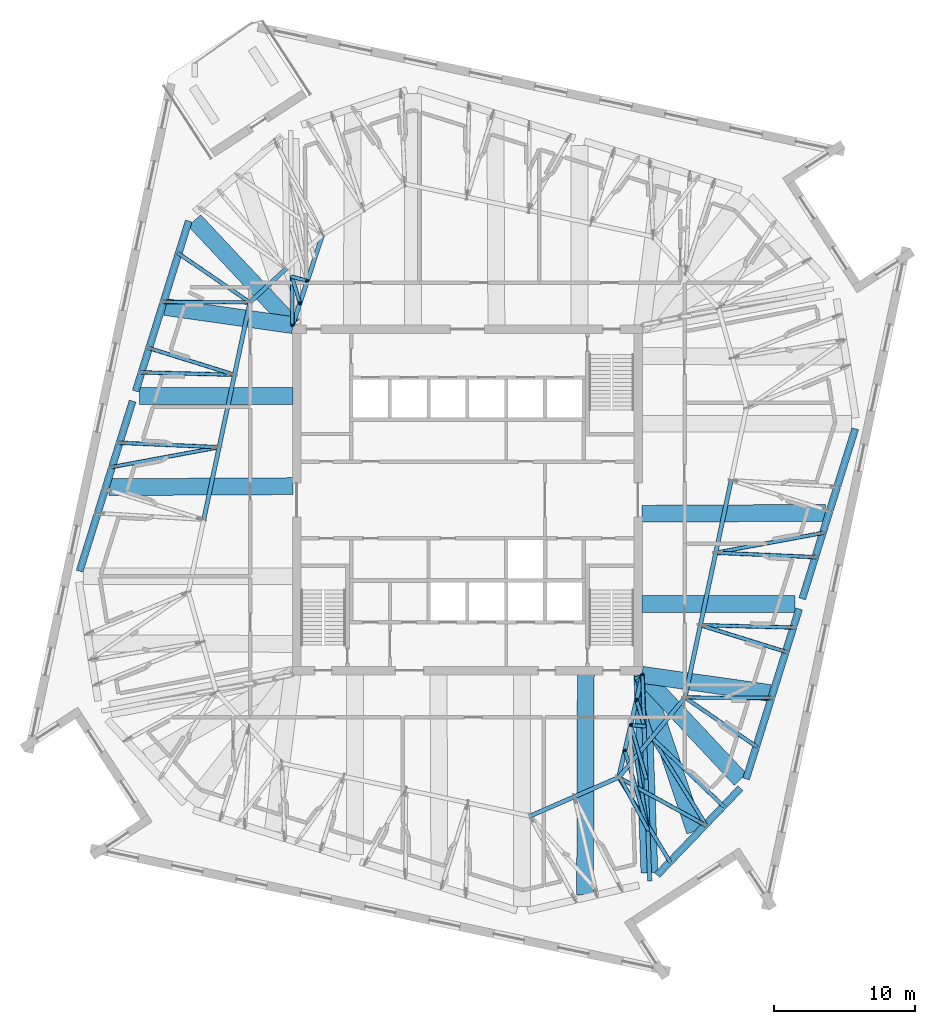
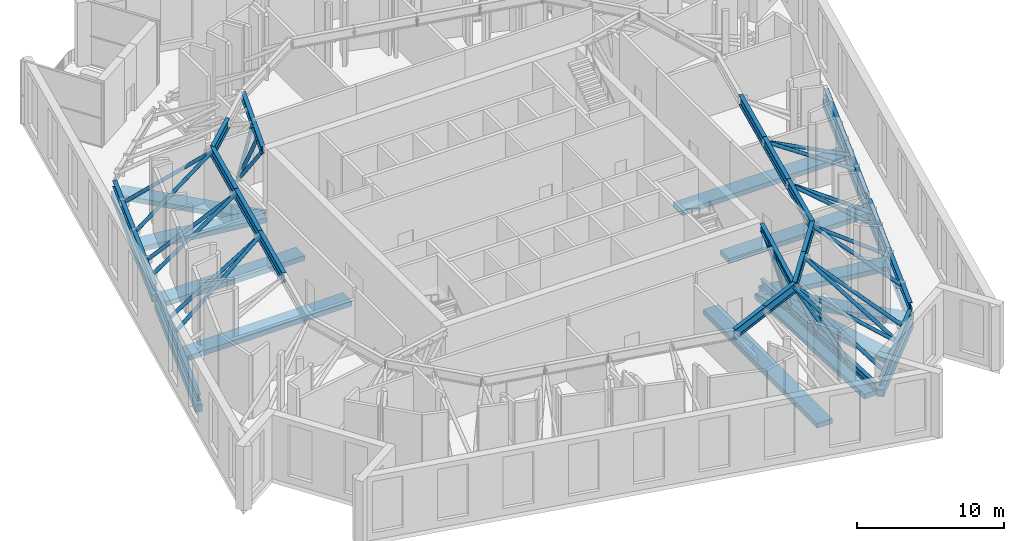
# One storey, part 2 of 19: 35 beams, 26 members.
"""IFC4 building model written with IfcOpenShell, lengths in metres."""

from ifc_helpers import new_model, si_unit, direction, frame, origin, origin_2d, place, context, subcontext, project, spatial, rectangle, hollow_circle, i_section, extrude, material, material_profile, profile_set, type_object, element, save


model = new_model("IFC4")

# Units and contexts
model_context = context("Model", 3, precision=1e-05, world=origin(), true_north=direction((0.0, 1.0)))
body_context = subcontext(model_context, "Body", "Model", "MODEL_VIEW")
ifc_project = project(units=[si_unit("LENGTHUNIT", "METRE"), si_unit("AREAUNIT", "SQUARE_METRE"), si_unit("VOLUMEUNIT", "CUBIC_METRE"), si_unit("PLANEANGLEUNIT", "RADIAN"), si_unit("MASSUNIT", "GRAM", prefix="KILO")], contexts=[model_context])

# Site, building, storey
site_placement = place(None, origin())
site = spatial("IfcSite", under=ifc_project, at=site_placement, CompositionType="ELEMENT")
building_placement = place(site_placement, origin())
building = spatial("IfcBuilding", under=site, at=building_placement, Name="Dilmun Exchange Tower", CompositionType="ELEMENT")
storey_placement = place(building_placement, frame((0.0, 0.0, 344.5)))
storey = spatial("IfcBuildingStorey", under=building, at=storey_placement, Name="L82", CompositionType="ELEMENT", Elevation=344.5)

# Beams
ifc_material_1 = material(Name="Concrete C40/50", Category="concrete")
ifc_material_profile_1 = material_profile(ifc_material_1, rectangle(XDim=1.199951171875, YDim=0.39990234375, at=origin_2d()), Name="1200 x 400")
ifc_profile_set_1 = profile_set([ifc_material_profile_1], Name="Concrete C40/50")
beam_type_1 = type_object("IfcBeamType", Name="RC band beam 1200 x 400 C40/50", PredefinedType="BEAM", material=ifc_profile_set_1)
beam_1_placement = place(storey_placement, frame((-19.35400390625, 19.8173828125, -0.64990234375), z_axis=(0.683952281649, -0.729526748261, 0.0), x_axis=(0.729526748261, 0.683952281649, 0.0)))
element("IfcBeam", 1, at=beam_1_placement, inside=storey, type_object=beam_type_1, Name="Band beam 2", PredefinedType="BEAM", context=body_context, shape_type="SweptSolid", body=[
    extrude(rectangle(XDim=1.199951171875, YDim=0.39990234375, at=origin_2d()), origin(), (0.0, 0.0, 1.0), 10.1943359375),
])
beam_2_placement = place(storey_placement, frame((-23.237060546875, 7.363037109375, -0.64990234375), z_axis=(1.0, 0.0, 0.0), x_axis=(0.0, 1.0, 0.0)))
element("IfcBeam", 2, at=beam_2_placement, inside=storey, type_object=beam_type_1, Name="Band beam 3", PredefinedType="BEAM", context=body_context, shape_type="SweptSolid", body=[
    extrude(rectangle(XDim=1.199951171875, YDim=0.39990234375, at=origin_2d()), origin(), (0.0, 0.0, 1.0), 10.864013671875),
])
beam_3_placement = place(storey_placement, frame((12.9033203125, -26.429443359375, -0.64990234375), z_axis=(-0.035860549827, 0.999356803632, 0.0), x_axis=(-0.999356803632, -0.035860549827, 0.0)))
element("IfcBeam", 3, at=beam_3_placement, inside=storey, type_object=beam_type_1, Name="Band beam 9", PredefinedType="BEAM", context=body_context, shape_type="SweptSolid", body=[
    extrude(rectangle(XDim=1.199951171875, YDim=0.39990234375, at=origin_2d()), origin(), (0.0, 0.0, 1.0), 14.0654296875),
])
beam_4_placement = place(storey_placement, frame((19.35400390625, -19.8173828125, -0.64990234375), z_axis=(-0.683952281649, 0.729526748261, 0.0), x_axis=(-0.729526748261, -0.683952281649, 0.0)))
element("IfcBeam", 4, at=beam_4_placement, inside=storey, type_object=beam_type_1, Name="Band beam 10", PredefinedType="BEAM", context=body_context, shape_type="SweptSolid", body=[
    extrude(rectangle(XDim=1.199951171875, YDim=0.39990234375, at=origin_2d()), origin(), (0.0, 0.0, 1.0), 10.1943359375),
])
beam_5_placement = place(storey_placement, frame((23.237060546875, -7.363037109375, -0.64990234375), z_axis=(-1.0, 0.0, 0.0), x_axis=(0.0, -1.0, 0.0)))
element("IfcBeam", 5, at=beam_5_placement, inside=storey, type_object=beam_type_1, Name="Band beam 11", PredefinedType="BEAM", context=body_context, shape_type="SweptSolid", body=[
    extrude(rectangle(XDim=1.199951171875, YDim=0.39990234375, at=origin_2d()), origin(), (0.0, 0.0, 1.0), 10.864013671875),
])
beam_6_placement = place(storey_placement, frame((-21.426513671875, 13.681640625, -0.550048828125), z_axis=(0.990066629404, -0.140598966357, 0.0), x_axis=(0.140598966357, 0.990066629404, 0.0)))
element("IfcBeam", 6, at=beam_6_placement, inside=storey, type_object=beam_type_1, Name="Band beam 18", PredefinedType="BEAM", context=body_context, shape_type="SweptSolid", body=[
    extrude(rectangle(XDim=1.199951171875, YDim=0.39990234375, at=origin_2d()), origin(), (0.0, 0.0, 1.0), 9.14404296875),
])
beam_7_placement = place(storey_placement, frame((-25.405517578125, 0.912109375, -0.550048828125), z_axis=(0.999987018468, 0.005095379798, 0.0), x_axis=(-0.005095379798, 0.999987018468, 0.0)))
element("IfcBeam", 7, at=beam_7_placement, inside=storey, type_object=beam_type_1, Name="Band beam 19", PredefinedType="BEAM", context=body_context, shape_type="SweptSolid", body=[
    extrude(rectangle(XDim=1.199951171875, YDim=0.39990234375, at=origin_2d()), origin(), (0.0, 0.0, 1.0), 13.03271484375),
])
beam_8_placement = place(storey_placement, frame((8.3427734375, -27.964599609375, -0.550048828125), z_axis=(0.003194321582, 0.999994898142, 0.0), x_axis=(-0.999994898142, 0.003194321582, 0.0)))
element("IfcBeam", 8, at=beam_8_placement, inside=storey, type_object=beam_type_1, Name="Band beam 24", PredefinedType="BEAM", context=body_context, shape_type="SweptSolid", body=[
    extrude(rectangle(XDim=1.199951171875, YDim=0.39990234375, at=origin_2d()), origin(), (0.0, 0.0, 1.0), 15.591552734375),
])
beam_9_placement = place(storey_placement, frame((16.12841796875, -23.484130859375, -0.550048828125), z_axis=(-0.318844720982, 0.947806965527, 0.0), x_axis=(-0.947806965527, -0.318844720982, 0.0)))
element("IfcBeam", 9, at=beam_9_placement, inside=storey, type_object=beam_type_1, Name="Band beam 25", PredefinedType="BEAM", context=body_context, shape_type="SweptSolid", body=[
    extrude(rectangle(XDim=1.199951171875, YDim=0.39990234375, at=origin_2d()), origin(), (0.0, 0.0, 1.0), 11.721435546875),
])
beam_10_placement = place(storey_placement, frame((21.426513671875, -13.681640625, -0.550048828125), z_axis=(-0.990066629404, 0.140598966357, 0.0), x_axis=(-0.140598966357, -0.990066629404, 0.0)))
element("IfcBeam", 10, at=beam_10_placement, inside=storey, type_object=beam_type_1, Name="Band beam 26", PredefinedType="BEAM", context=body_context, shape_type="SweptSolid", body=[
    extrude(rectangle(XDim=1.199951171875, YDim=0.39990234375, at=origin_2d()), origin(), (0.0, 0.0, 1.0), 9.14404296875),
])
beam_11_placement = place(storey_placement, frame((25.405517578125, -0.912109375, -0.550048828125), z_axis=(-0.999987018468, -0.005095379798, 0.0), x_axis=(0.005095379798, -0.999987018468, 0.0)))
element("IfcBeam", 11, at=beam_11_placement, inside=storey, type_object=beam_type_1, Name="Band beam 27", PredefinedType="BEAM", context=body_context, shape_type="SweptSolid", body=[
    extrude(rectangle(XDim=1.199951171875, YDim=0.39990234375, at=origin_2d()), origin(), (0.0, 0.0, 1.0), 13.03271484375),
])
ifc_material_profile_2 = material_profile(ifc_material_1, rectangle(XDim=0.5, YDim=0.60009765625, at=origin_2d()), Name="500 x 600")
ifc_profile_set_2 = profile_set([ifc_material_profile_2], Name="Concrete C40/50")
beam_type_2 = type_object("IfcBeamType", Name="RC ring beam 500 x 600 C40/50", PredefinedType="SPANDREL", material=ifc_profile_set_2)
beam_12_placement = place(storey_placement, frame((-19.760986328125, 19.77685546875, -0.64990234375), z_axis=(-0.297481296371, -0.954727646143, 0.0), x_axis=(0.954727646143, -0.297481296371, 0.0)))
element("IfcBeam", 12, at=beam_12_placement, inside=storey, type_object=beam_type_2, Name="Ring beam 2", PredefinedType="SPANDREL", context=body_context, shape_type="SweptSolid", body=[
    extrude(rectangle(XDim=0.5, YDim=0.60009765625, at=origin_2d()), origin(), (0.0, 0.0, 1.0), 12.629638671875),
])
beam_13_placement = place(storey_placement, frame((-23.739990234375, 7.0068359375, -0.64990234375), z_axis=(-0.297508749799, -0.954719091562, 0.0), x_axis=(0.954719091562, -0.297508749799, 0.0)))
element("IfcBeam", 13, at=beam_13_placement, inside=storey, type_object=beam_type_2, Name="Ring beam 3", PredefinedType="SPANDREL", context=body_context, shape_type="SweptSolid", body=[
    extrude(rectangle(XDim=0.5, YDim=0.60009765625, at=origin_2d()), origin(), (0.0, 0.0, 1.0), 12.62841796875),
])
beam_14_placement = place(storey_placement, frame((13.451416015625, -26.598876953125, -0.64990234375), z_axis=(0.692021502551, 0.721876887016, 0.0), x_axis=(-0.721876887016, 0.692021502551, 0.0)))
element("IfcBeam", 14, at=beam_14_placement, inside=storey, type_object=beam_type_2, Name="Ring beam 9", PredefinedType="SPANDREL", context=body_context, shape_type="SweptSolid", body=[
    extrude(rectangle(XDim=0.5, YDim=0.60009765625, at=origin_2d()), origin(), (0.0, 0.0, 1.0), 8.537353515625),
])
beam_15_placement = place(storey_placement, frame((19.760986328125, -19.77685546875, -0.64990234375), z_axis=(0.297481296371, 0.954727646143, 0.0), x_axis=(-0.954727646143, 0.297481296371, 0.0)))
element("IfcBeam", 15, at=beam_15_placement, inside=storey, type_object=beam_type_2, Name="Ring beam 10", PredefinedType="SPANDREL", context=body_context, shape_type="SweptSolid", body=[
    extrude(rectangle(XDim=0.5, YDim=0.60009765625, at=origin_2d()), origin(), (0.0, 0.0, 1.0), 12.629638671875),
])
beam_16_placement = place(storey_placement, frame((23.739990234375, -7.0068359375, -0.64990234375), z_axis=(0.297508749799, 0.954719091562, 0.0), x_axis=(-0.954719091562, 0.297508749799, 0.0)))
element("IfcBeam", 16, at=beam_16_placement, inside=storey, type_object=beam_type_2, Name="Ring beam 11", PredefinedType="SPANDREL", context=body_context, shape_type="SweptSolid", body=[
    extrude(rectangle(XDim=0.5, YDim=0.60009765625, at=origin_2d()), origin(), (0.0, 0.0, 1.0), 12.62841796875),
])
ifc_material_2 = material(Name="Steel S355", Category="steel")
ifc_material_profile_3 = material_profile(ifc_material_2, i_section(OverallWidth=0.300048828125, OverallDepth=0.5, WebThickness=0.014404296875, FlangeThickness=0.028076171875, FilletRadius=0.027099609375, at=origin_2d()), Name="HEB 500")
ifc_profile_set_3 = profile_set([ifc_material_profile_3], Name="Steel S355")
beam_type_3 = type_object("IfcBeamType", Name="belt bottom chord HEB 500", PredefinedType="BEAM", material=ifc_profile_set_3)
beam_17_placement = place(storey_placement, frame((-19.760986328125, 19.77685546875, 0.25), z_axis=(-0.297481296371, -0.954727646143, 0.0), x_axis=(0.954727646143, -0.297481296371, 0.0)))
element("IfcBeam", 17, at=beam_17_placement, inside=storey, type_object=beam_type_3, Name="Belt bottom chord 2", PredefinedType="BEAM", context=body_context, shape_type="SweptSolid", body=[
    extrude(i_section(OverallWidth=0.300048828125, OverallDepth=0.5, WebThickness=0.014404296875, FlangeThickness=0.028076171875, FilletRadius=0.027099609375, at=origin_2d()), origin(), (0.0, 0.0, 1.0), 12.629638671875),
])
beam_18_placement = place(storey_placement, frame((-23.739990234375, 7.0068359375, 0.25), z_axis=(-0.297508749799, -0.954719091562, 0.0), x_axis=(0.954719091562, -0.297508749799, 0.0)))
element("IfcBeam", 18, at=beam_18_placement, inside=storey, type_object=beam_type_3, Name="Belt bottom chord 3", PredefinedType="BEAM", context=body_context, shape_type="SweptSolid", body=[
    extrude(i_section(OverallWidth=0.300048828125, OverallDepth=0.5, WebThickness=0.014404296875, FlangeThickness=0.028076171875, FilletRadius=0.027099609375, at=origin_2d()), origin(), (0.0, 0.0, 1.0), 12.62841796875),
])
beam_19_placement = place(storey_placement, frame((13.451416015625, -26.598876953125, 0.25), z_axis=(0.692021502551, 0.721876887016, 0.0), x_axis=(-0.721876887016, 0.692021502551, 0.0)))
element("IfcBeam", 19, at=beam_19_placement, inside=storey, type_object=beam_type_3, Name="Belt bottom chord 9", PredefinedType="BEAM", context=body_context, shape_type="SweptSolid", body=[
    extrude(i_section(OverallWidth=0.300048828125, OverallDepth=0.5, WebThickness=0.014404296875, FlangeThickness=0.028076171875, FilletRadius=0.027099609375, at=origin_2d()), origin(), (0.0, 0.0, 1.0), 8.537353515625),
])
beam_20_placement = place(storey_placement, frame((19.760986328125, -19.77685546875, 0.25), z_axis=(0.297481296371, 0.954727646143, 0.0), x_axis=(-0.954727646143, 0.297481296371, 0.0)))
element("IfcBeam", 20, at=beam_20_placement, inside=storey, type_object=beam_type_3, Name="Belt bottom chord 10", PredefinedType="BEAM", context=body_context, shape_type="SweptSolid", body=[
    extrude(i_section(OverallWidth=0.300048828125, OverallDepth=0.5, WebThickness=0.014404296875, FlangeThickness=0.028076171875, FilletRadius=0.027099609375, at=origin_2d()), origin(), (0.0, 0.0, 1.0), 12.629638671875),
])
beam_21_placement = place(storey_placement, frame((23.739990234375, -7.0068359375, 0.25), z_axis=(0.297508749799, 0.954719091562, 0.0), x_axis=(-0.954719091562, 0.297508749799, 0.0)))
element("IfcBeam", 21, at=beam_21_placement, inside=storey, type_object=beam_type_3, Name="Belt bottom chord 11", PredefinedType="BEAM", context=body_context, shape_type="SweptSolid", body=[
    extrude(i_section(OverallWidth=0.300048828125, OverallDepth=0.5, WebThickness=0.014404296875, FlangeThickness=0.028076171875, FilletRadius=0.027099609375, at=origin_2d()), origin(), (0.0, 0.0, 1.0), 12.62841796875),
])
ifc_material_profile_4 = material_profile(ifc_material_2, i_section(OverallWidth=0.304931640625, OverallDepth=0.6201171875, WebThickness=0.02099609375, FlangeThickness=0.0400390625, FilletRadius=0.027099609375, at=origin_2d()), Name="HEM 600")
ifc_profile_set_4 = profile_set([ifc_material_profile_4], Name="Steel S355")
beam_type_4 = type_object("IfcBeamType", Name="outrigger chord HEM 600", PredefinedType="BEAM", material=ifc_profile_set_4)
beam_22_placement = place(storey_placement, frame((-12.408447265625, 12.37451171875, 4.889892578125), z_axis=(0.316095980044, 0.948727216538, 0.0), x_axis=(-0.948727216538, 0.316095980044, 0.0)))
element("IfcBeam", 22, at=beam_22_placement, inside=storey, type_object=beam_type_4, Name="Outrigger top chord 1", PredefinedType="BEAM", context=body_context, shape_type="SweptSolid", body=[
    extrude(i_section(OverallWidth=0.304931640625, OverallDepth=0.6201171875, WebThickness=0.02099609375, FlangeThickness=0.0400390625, FilletRadius=0.027099609375, at=origin_2d()), origin(), (0.0, 0.0, 1.0), 6.66943359375),
])
beam_23_placement = place(storey_placement, frame((12.39892578125, -12.373046875, 0.31005859375), z_axis=(0.035861447529, -0.999356771419, 0.0), x_axis=(0.999356771419, 0.035861447529, 0.0)))
element("IfcBeam", 23, at=beam_23_placement, inside=storey, type_object=beam_type_4, Name="Outrigger bottom chord 3", PredefinedType="BEAM", context=body_context, shape_type="SweptSolid", body=[
    extrude(i_section(OverallWidth=0.304931640625, OverallDepth=0.6201171875, WebThickness=0.02099609375, FlangeThickness=0.0400390625, FilletRadius=0.027099609375, at=origin_2d()), origin(), (0.0, 0.0, 1.0), 14.657470703125),
])
beam_24_placement = place(storey_placement, frame((12.406005859375, -12.373779296875, 4.889892578125), z_axis=(-0.224518032074, -0.974469934515, 0.0), x_axis=(0.974469934515, -0.224518032074, 0.0)))
element("IfcBeam", 24, at=beam_24_placement, inside=storey, type_object=beam_type_4, Name="Outrigger top chord 3", PredefinedType="BEAM", context=body_context, shape_type="SweptSolid", body=[
    extrude(i_section(OverallWidth=0.304931640625, OverallDepth=0.6201171875, WebThickness=0.02099609375, FlangeThickness=0.0400390625, FilletRadius=0.027099609375, at=origin_2d()), origin(), (0.0, 0.0, 1.0), 7.36279296875),
])

# Members
ifc_material_profile_5 = material_profile(ifc_material_2, hollow_circle(Radius=0.136474609375, WallThickness=0.01611328125, at=origin_2d()), Name="CHS 273x16")
ifc_profile_set_5 = profile_set([ifc_material_profile_5], Name="Steel S355")
member_type_1 = type_object("IfcMemberType", Name="outrigger post CHS 273x16", PredefinedType="POST", material=ifc_profile_set_5)
member_1_placement = place(storey_placement, frame((-11.881591796875, 13.956298828125, 4.889892578125), z_axis=(-0.110869686973, 0.376250821824, -0.919860441365), x_axis=(-0.959222051203, -0.282653598041, 0.0)))
element("IfcMember", 25, at=member_1_placement, inside=storey, type_object=member_type_1, Name="Outrigger post 1.1", PredefinedType="POST", context=body_context, shape_type="SweptSolid", body=[
    extrude(hollow_circle(Radius=0.136474609375, WallThickness=0.01611328125, at=origin_2d()), origin(), (0.0, 0.0, 1.0), 4.978759765625),
])
member_2_placement = place(storey_placement, frame((11.992919921875, -14.16748046875, 4.889892578125), z_axis=(0.108058593777, -0.375358848228, -0.920559110198), x_axis=(0.96097207739, 0.276645380365, 0.0)))
element("IfcMember", 26, at=member_2_placement, inside=storey, type_object=member_type_1, Name="Outrigger post 3.1", PredefinedType="POST", context=body_context, shape_type="SweptSolid", body=[
    extrude(hollow_circle(Radius=0.136474609375, WallThickness=0.01611328125, at=origin_2d()), origin(), (0.0, 0.0, 1.0), 4.97509765625),
])
member_3_placement = place(storey_placement, frame((11.57958984375, -15.961181640625, 4.889892578125), z_axis=(0.180122493312, -0.621753754267, -0.762219231231), x_axis=(0.960506005653, 0.278259255199, 0.0)))
element("IfcMember", 27, at=member_3_placement, inside=storey, type_object=member_type_1, Name="Outrigger post 3.2", PredefinedType="POST", context=body_context, shape_type="SweptSolid", body=[
    extrude(hollow_circle(Radius=0.136474609375, WallThickness=0.01611328125, at=origin_2d()), origin(), (0.0, 0.0, 1.0), 6.008544921875),
])
member_4_placement = place(storey_placement, frame((11.166259765625, -17.7548828125, 4.889892578125), z_axis=(0.219319600722, -0.755474404948, -0.617379410256), x_axis=(0.960350201497, 0.278796503715, 0.0)))
element("IfcMember", 28, at=member_4_placement, inside=storey, type_object=member_type_1, Name="Outrigger post 3.3", PredefinedType="POST", context=body_context, shape_type="SweptSolid", body=[
    extrude(hollow_circle(Radius=0.136474609375, WallThickness=0.01611328125, at=origin_2d()), origin(), (0.0, 0.0, 1.0), 7.418212890625),
])

# Beams
ifc_material_profile_6 = material_profile(ifc_material_2, i_section(OverallWidth=0.302978515625, OverallDepth=0.81396484375, WebThickness=0.02099609375, FlangeThickness=0.0400390625, FilletRadius=0.030029296875, at=origin_2d()), Name="HEM 800")
ifc_profile_set_6 = profile_set([ifc_material_profile_6], Name="Steel S355")
beam_type_5 = type_object("IfcBeamType", Name="transfer chord HEM 800", PredefinedType="BEAM", material=ifc_profile_set_6)
beam_25_placement = place(storey_placement, frame((-12.842529296875, 16.41650390625, 4.89306640625), z_axis=(-0.731885642054, -0.6814274774, 0.0), x_axis=(0.6814274774, -0.731885642054, 0.0)))
element("IfcBeam", 29, at=beam_25_placement, inside=storey, type_object=beam_type_5, Name="Transfer chord 2", PredefinedType="BEAM", context=body_context, shape_type="SweptSolid", body=[
    extrude(i_section(OverallWidth=0.302978515625, OverallDepth=0.81396484375, WebThickness=0.02099609375, FlangeThickness=0.0400390625, FilletRadius=0.030029296875, at=origin_2d()), origin(), (0.0, 0.0, 1.0), 3.52734375),
])
for number, where, z_axis, x_axis, name in (
    (30, (-15.424072265625, 14.012939453125, 4.89306640625), (-0.207861536591, -0.97815826, 0.0), (0.97815826, -0.207861536591, 0.0), "Transfer chord 3"),
    (31, (-16.515380859375, 8.87744140625, 4.89306640625), (-0.207906028247, -0.978148804333, 0.0), (0.978148804333, -0.207906028247, 0.0), "Transfer chord 4"),
):
    element("IfcBeam", number, at=place(storey_placement, frame(where, z_axis=z_axis, x_axis=x_axis)), inside=storey, type_object=beam_type_5, Name=name, PredefinedType="BEAM", context=body_context, shape_type="SweptSolid", body=[
        extrude(i_section(OverallWidth=0.302978515625, OverallDepth=0.81396484375, WebThickness=0.02099609375, FlangeThickness=0.0400390625, FilletRadius=0.030029296875, at=origin_2d()), origin(), (0.0, 0.0, 1.0), 5.250244140625),
    ])
beam_26_placement = place(storey_placement, frame((-17.60693359375, 3.741943359375, 4.89306640625), z_axis=(-0.207924943103, -0.97814478378, 0.0), x_axis=(0.97814478378, -0.207924943103, 0.0)))
element("IfcBeam", 32, at=beam_26_placement, inside=storey, type_object=beam_type_5, Name="Transfer chord 5", PredefinedType="BEAM", context=body_context, shape_type="SweptSolid", body=[
    extrude(i_section(OverallWidth=0.302978515625, OverallDepth=0.81396484375, WebThickness=0.02099609375, FlangeThickness=0.0400390625, FilletRadius=0.030029296875, at=origin_2d()), origin(), (0.0, 0.0, 1.0), 5.249755859375),
])
for number, where, z_axis, x_axis, name in (
    (33, (4.43701171875, -22.412109375, 4.89306640625), (0.916630437156, 0.39973571479, 0.0), (-0.39973571479, 0.916630437156, 0.0), "Transfer chord 15"),
    (34, (7.5810546875, -21.041015625, 4.89306640625), (0.916630437156, 0.39973571479, 0.0), (-0.39973571479, 0.916630437156, 0.0), "Transfer chord 16"),
):
    element("IfcBeam", number, at=place(storey_placement, frame(where, z_axis=z_axis, x_axis=x_axis)), inside=storey, type_object=beam_type_5, Name=name, PredefinedType="BEAM", context=body_context, shape_type="SweptSolid", body=[
        extrude(i_section(OverallWidth=0.302978515625, OverallDepth=0.81396484375, WebThickness=0.02099609375, FlangeThickness=0.0400390625, FilletRadius=0.030029296875, at=origin_2d()), origin(), (0.0, 0.0, 1.0), 3.429931640625),
    ])
beam_27_placement = place(storey_placement, frame((10.72509765625, -19.669921875, 4.89306640625), z_axis=(0.638962275469, 0.769238071424, 0.0), x_axis=(-0.769238071424, 0.638962275469, 0.0)))
element("IfcBeam", 35, at=beam_27_placement, inside=storey, type_object=beam_type_5, Name="Transfer chord 17", PredefinedType="BEAM", context=body_context, shape_type="SweptSolid", body=[
    extrude(i_section(OverallWidth=0.302978515625, OverallDepth=0.81396484375, WebThickness=0.02099609375, FlangeThickness=0.0400390625, FilletRadius=0.030029296875, at=origin_2d()), origin(), (0.0, 0.0, 1.0), 3.6767578125),
])
beam_28_placement = place(storey_placement, frame((13.074462890625, -16.841552734375, 4.89306640625), z_axis=(0.638968928922, 0.769232544731, 0.0), x_axis=(-0.769232544731, 0.638968928922, 0.0)))
element("IfcBeam", 36, at=beam_28_placement, inside=storey, type_object=beam_type_5, Name="Transfer chord 18", PredefinedType="BEAM", context=body_context, shape_type="SweptSolid", body=[
    extrude(i_section(OverallWidth=0.302978515625, OverallDepth=0.81396484375, WebThickness=0.02099609375, FlangeThickness=0.0400390625, FilletRadius=0.030029296875, at=origin_2d()), origin(), (0.0, 0.0, 1.0), 3.67724609375),
])
for number, where, z_axis, x_axis, name in (
    (37, (15.424072265625, -14.012939453125, 4.89306640625), (0.207861536591, 0.97815826, 0.0), (-0.97815826, 0.207861536591, 0.0), "Transfer chord 19"),
    (38, (16.515380859375, -8.87744140625, 4.89306640625), (0.207906028247, 0.978148804333, 0.0), (-0.978148804333, 0.207906028247, 0.0), "Transfer chord 20"),
):
    element("IfcBeam", number, at=place(storey_placement, frame(where, z_axis=z_axis, x_axis=x_axis)), inside=storey, type_object=beam_type_5, Name=name, PredefinedType="BEAM", context=body_context, shape_type="SweptSolid", body=[
        extrude(i_section(OverallWidth=0.302978515625, OverallDepth=0.81396484375, WebThickness=0.02099609375, FlangeThickness=0.0400390625, FilletRadius=0.030029296875, at=origin_2d()), origin(), (0.0, 0.0, 1.0), 5.250244140625),
    ])
beam_29_placement = place(storey_placement, frame((17.60693359375, -3.741943359375, 4.89306640625), z_axis=(0.207924943103, 0.97814478378, 0.0), x_axis=(-0.97814478378, 0.207924943103, 0.0)))
element("IfcBeam", 39, at=beam_29_placement, inside=storey, type_object=beam_type_5, Name="Transfer chord 21", PredefinedType="BEAM", context=body_context, shape_type="SweptSolid", body=[
    extrude(i_section(OverallWidth=0.302978515625, OverallDepth=0.81396484375, WebThickness=0.02099609375, FlangeThickness=0.0400390625, FilletRadius=0.030029296875, at=origin_2d()), origin(), (0.0, 0.0, 1.0), 5.249755859375),
])

# Members
ifc_material_profile_7 = material_profile(ifc_material_2, hollow_circle(Radius=0.136474609375, WallThickness=0.01611328125, at=origin_2d()), Name="CHS 273x16")
ifc_profile_set_7 = profile_set([ifc_material_profile_7], Name="Steel S355")
member_type_2 = type_object("IfcMemberType", Name="truss diagonal CHS 273x16", PredefinedType="BRACE", material=ifc_profile_set_7)
for number, where, z_axis, x_axis, name in (
    (40, (-15.424072265625, 14.012939453125, 4.89306640625), (-0.796940634703, 0.00304915312, -0.604049937857), (-0.00382604509, -0.999992680663, 0.0), "Truss diagonal 5"),
    (41, (-15.424072265625, 14.012939453125, 4.89306640625), (-0.657603875548, 0.450196934506, -0.60405286443), (-0.564903924874, -0.825156685522, 0.0), "Truss diagonal 6"),
):
    element("IfcMember", number, at=place(storey_placement, frame(where, z_axis=z_axis, x_axis=x_axis)), inside=storey, type_object=member_type_2, Name=name, PredefinedType="BRACE", context=body_context, shape_type="SweptSolid", body=[
        extrude(hollow_circle(Radius=0.136474609375, WallThickness=0.01611328125, at=origin_2d()), origin(), (0.0, 0.0, 1.0), 7.6865234375),
    ])
member_5_placement = place(storey_placement, frame((-16.515380859375, 8.87744140625, 4.89306640625), z_axis=(-0.770300450275, 0.240033535479, -0.590780092887), x_axis=(-0.297501028812, -0.954721497535, 0.0)))
element("IfcMember", 42, at=member_5_placement, inside=storey, type_object=member_type_2, Name="Truss diagonal 7", PredefinedType="BRACE", context=body_context, shape_type="SweptSolid", body=[
    extrude(hollow_circle(Radius=0.136474609375, WallThickness=0.01611328125, at=origin_2d()), origin(), (0.0, 0.0, 1.0), 7.859130859375),
])
member_6_placement = place(storey_placement, frame((-16.515380859375, 8.87744140625, 4.89306640625), z_axis=(-0.817271962461, 0.020833016309, -0.575875442093), x_axis=(-0.025482644761, -0.999675264681, 0.0)))
element("IfcMember", 43, at=member_6_placement, inside=storey, type_object=member_type_2, Name="Truss diagonal 8", PredefinedType="BRACE", context=body_context, shape_type="SweptSolid", body=[
    extrude(hollow_circle(Radius=0.136474609375, WallThickness=0.01611328125, at=origin_2d()), origin(), (0.0, 0.0, 1.0), 8.062744140625),
])
member_7_placement = place(storey_placement, frame((-17.60693359375, 3.741943359375, 4.89306640625), z_axis=(-0.834685294379, 0.036982836955, -0.549484057202), x_axis=(-0.044264094525, -0.999019864635, 0.0)))
element("IfcMember", 44, at=member_7_placement, inside=storey, type_object=member_type_2, Name="Truss diagonal 9", PredefinedType="BRACE", context=body_context, shape_type="SweptSolid", body=[
    extrude(hollow_circle(Radius=0.136474609375, WallThickness=0.01611328125, at=origin_2d()), origin(), (0.0, 0.0, 1.0), 8.449951171875),
])
member_8_placement = place(storey_placement, frame((-17.60693359375, 3.741943359375, 4.89306640625), z_axis=(-0.842545455137, -0.156105243256, -0.515507816678), x_axis=(0.182177615225, -0.983265638834, 0.0)))
element("IfcMember", 45, at=member_8_placement, inside=storey, type_object=member_type_2, Name="Truss diagonal 10", PredefinedType="BRACE", context=body_context, shape_type="SweptSolid", body=[
    extrude(hollow_circle(Radius=0.136474609375, WallThickness=0.01611328125, at=origin_2d()), origin(), (0.0, 0.0, 1.0), 9.0068359375),
])
for number, where, z_axis, x_axis, name in (
    (46, (10.72509765625, -19.669921875, 4.89306640625), (0.729606300451, -0.402549426218, -0.55283687087), (0.483084720537, 0.875573613572, 0.0), "Truss diagonal 33"),
    (47, (10.72509765625, -19.669921875, 4.89306640625), (0.432977282714, -0.711978018498, -0.552827254962), (0.854412021325, 0.519596091032, 0.0), "Truss diagonal 34"),
):
    element("IfcMember", number, at=place(storey_placement, frame(where, z_axis=z_axis, x_axis=x_axis)), inside=storey, type_object=member_type_2, Name=name, PredefinedType="BRACE", context=body_context, shape_type="SweptSolid", body=[
        extrude(hollow_circle(Radius=0.136474609375, WallThickness=0.01611328125, at=origin_2d()), origin(), (0.0, 0.0, 1.0), 8.398681640625),
    ])
member_9_placement = place(storey_placement, frame((13.074462890625, -16.841552734375, 4.89306640625), z_axis=(0.602212385271, -0.577306249549, -0.551414306359), x_axis=(0.692021605151, 0.721876788659, 0.0)))
element("IfcMember", 48, at=member_9_placement, inside=storey, type_object=member_type_2, Name="Truss diagonal 35", PredefinedType="BRACE", context=body_context, shape_type="SweptSolid", body=[
    extrude(hollow_circle(Radius=0.136474609375, WallThickness=0.01611328125, at=origin_2d()), origin(), (0.0, 0.0, 1.0), 8.420166015625),
])
member_10_placement = place(storey_placement, frame((13.074462890625, -16.841552734375, 4.89306640625), z_axis=(0.444247734466, -0.715452073256, -0.539233049149), x_axis=(0.849547558559, 0.527512033746, 0.0)))
element("IfcMember", 49, at=member_10_placement, inside=storey, type_object=member_type_2, Name="Truss diagonal 36", PredefinedType="BRACE", context=body_context, shape_type="SweptSolid", body=[
    extrude(hollow_circle(Radius=0.136474609375, WallThickness=0.01611328125, at=origin_2d()), origin(), (0.0, 0.0, 1.0), 8.610595703125),
])
for number, where, z_axis, x_axis, name in (
    (50, (15.424072265625, -14.012939453125, 4.89306640625), (0.796940634703, -0.00304915312, -0.604049937857), (0.00382604509, 0.999992680663, 0.0), "Truss diagonal 37"),
    (51, (15.424072265625, -14.012939453125, 4.89306640625), (0.657603875548, -0.450196934506, -0.60405286443), (0.564903924874, 0.825156685522, 0.0), "Truss diagonal 38"),
):
    element("IfcMember", number, at=place(storey_placement, frame(where, z_axis=z_axis, x_axis=x_axis)), inside=storey, type_object=member_type_2, Name=name, PredefinedType="BRACE", context=body_context, shape_type="SweptSolid", body=[
        extrude(hollow_circle(Radius=0.136474609375, WallThickness=0.01611328125, at=origin_2d()), origin(), (0.0, 0.0, 1.0), 7.6865234375),
    ])
member_11_placement = place(storey_placement, frame((16.515380859375, -8.87744140625, 4.89306640625), z_axis=(0.770300450275, -0.240033535479, -0.590780092887), x_axis=(0.297501028812, 0.954721497535, 0.0)))
element("IfcMember", 52, at=member_11_placement, inside=storey, type_object=member_type_2, Name="Truss diagonal 39", PredefinedType="BRACE", context=body_context, shape_type="SweptSolid", body=[
    extrude(hollow_circle(Radius=0.136474609375, WallThickness=0.01611328125, at=origin_2d()), origin(), (0.0, 0.0, 1.0), 7.859130859375),
])
member_12_placement = place(storey_placement, frame((16.515380859375, -8.87744140625, 4.89306640625), z_axis=(0.817271962461, -0.020833016309, -0.575875442093), x_axis=(0.025482644761, 0.999675264681, 0.0)))
element("IfcMember", 53, at=member_12_placement, inside=storey, type_object=member_type_2, Name="Truss diagonal 40", PredefinedType="BRACE", context=body_context, shape_type="SweptSolid", body=[
    extrude(hollow_circle(Radius=0.136474609375, WallThickness=0.01611328125, at=origin_2d()), origin(), (0.0, 0.0, 1.0), 8.062744140625),
])
member_13_placement = place(storey_placement, frame((17.60693359375, -3.741943359375, 4.89306640625), z_axis=(0.834685294379, -0.036982836955, -0.549484057202), x_axis=(0.044264094525, 0.999019864635, 0.0)))
element("IfcMember", 54, at=member_13_placement, inside=storey, type_object=member_type_2, Name="Truss diagonal 41", PredefinedType="BRACE", context=body_context, shape_type="SweptSolid", body=[
    extrude(hollow_circle(Radius=0.136474609375, WallThickness=0.01611328125, at=origin_2d()), origin(), (0.0, 0.0, 1.0), 8.449951171875),
])
member_14_placement = place(storey_placement, frame((17.60693359375, -3.741943359375, 4.89306640625), z_axis=(0.842545455137, 0.156105243256, -0.515507816678), x_axis=(-0.182177615225, 0.983265638834, 0.0)))
element("IfcMember", 55, at=member_14_placement, inside=storey, type_object=member_type_2, Name="Truss diagonal 42", PredefinedType="BRACE", context=body_context, shape_type="SweptSolid", body=[
    extrude(hollow_circle(Radius=0.136474609375, WallThickness=0.01611328125, at=origin_2d()), origin(), (0.0, 0.0, 1.0), 9.0068359375),
])
member_15_placement = place(storey_placement, frame((-12.408447265625, 12.37451171875, 4.889892578125), z_axis=(-0.004383217658, 0.602245595099, -0.798298835391), x_axis=(-0.999973515513, -0.007277930476, 0.0)))
element("IfcMember", 56, at=member_15_placement, inside=storey, type_object=member_type_2, Name="Outrigger diagonal 1.0", PredefinedType="BRACE", context=body_context, shape_type="SweptSolid", body=[
    extrude(hollow_circle(Radius=0.136474609375, WallThickness=0.01611328125, at=origin_2d()), origin(), (0.0, 0.0, 1.0), 5.737060546875),
])
member_16_placement = place(storey_placement, frame((-11.3544921875, 15.5380859375, 4.889892578125), z_axis=(-0.228901236572, 0.06183440644, -0.971483777567), x_axis=(-0.260787995086, -0.965396095713, 0.0)))
element("IfcMember", 57, at=member_16_placement, inside=storey, type_object=member_type_2, Name="Outrigger diagonal 1.1", PredefinedType="BRACE", context=body_context, shape_type="SweptSolid", body=[
    extrude(hollow_circle(Radius=0.136474609375, WallThickness=0.01611328125, at=origin_2d()), origin(), (0.0, 0.0, 1.0), 4.71435546875),
])
member_17_placement = place(storey_placement, frame((12.406005859375, -12.373779296875, 4.889892578125), z_axis=(0.021230838287, -0.624269903842, -0.780920187127), x_axis=(0.999422192788, 0.0339894184, 0.0)))
element("IfcMember", 58, at=member_17_placement, inside=storey, type_object=member_type_2, Name="Outrigger diagonal 3.0", PredefinedType="BRACE", context=body_context, shape_type="SweptSolid", body=[
    extrude(hollow_circle(Radius=0.136474609375, WallThickness=0.01611328125, at=origin_2d()), origin(), (0.0, 0.0, 1.0), 5.86474609375),
])
member_18_placement = place(storey_placement, frame((11.57958984375, -15.961181640625, 4.889892578125), z_axis=(0.203272400186, -0.015760786869, -0.97899536716), x_axis=(0.077303286874, 0.997007623761, 0.0)))
element("IfcMember", 59, at=member_18_placement, inside=storey, type_object=member_type_2, Name="Outrigger diagonal 3.1", PredefinedType="BRACE", context=body_context, shape_type="SweptSolid", body=[
    extrude(hollow_circle(Radius=0.136474609375, WallThickness=0.01611328125, at=origin_2d()), origin(), (0.0, 0.0, 1.0), 4.677978515625),
])
member_19_placement = place(storey_placement, frame((11.57958984375, -15.961181640625, 4.889892578125), z_axis=(0.138146124891, -0.842104984198, -0.521320289042), x_axis=(0.986809675786, 0.161884723726, 0.0)))
element("IfcMember", 60, at=member_19_placement, inside=storey, type_object=member_type_2, Name="Outrigger diagonal 3.2", PredefinedType="BRACE", context=body_context, shape_type="SweptSolid", body=[
    extrude(hollow_circle(Radius=0.136474609375, WallThickness=0.01611328125, at=origin_2d()), origin(), (0.0, 0.0, 1.0), 8.78515625),
])
member_20_placement = place(storey_placement, frame((10.7529296875, -19.548583984375, 4.889892578125), z_axis=(0.323985508099, -0.605093431903, -0.72725190217), x_axis=(0.881584069583, 0.47202704187, 0.0)))
element("IfcMember", 61, at=member_20_placement, inside=storey, type_object=member_type_2, Name="Outrigger diagonal 3.3", PredefinedType="BRACE", context=body_context, shape_type="SweptSolid", body=[
    extrude(hollow_circle(Radius=0.136474609375, WallThickness=0.01611328125, at=origin_2d()), origin(), (0.0, 0.0, 1.0), 6.29736328125),
])

save(model, "model.ifc")
